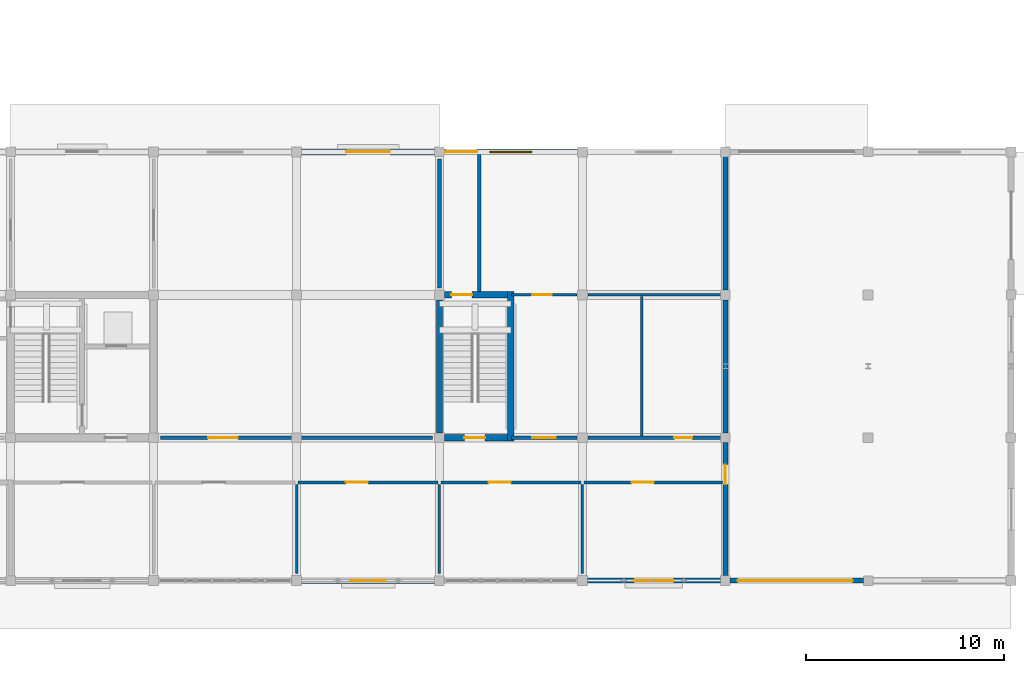
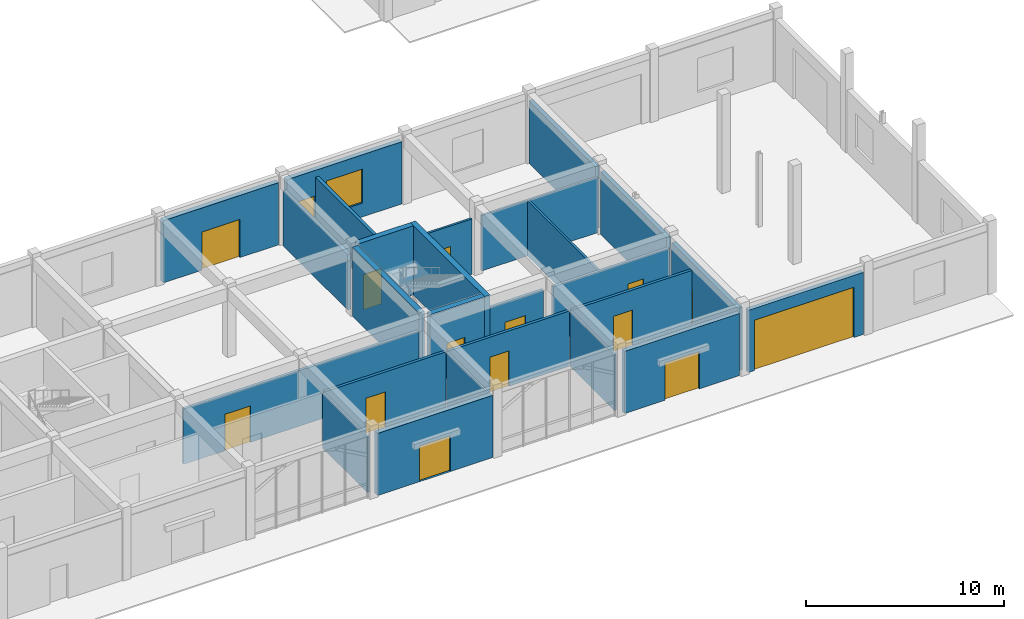
# One storey, part 101 of 138: 26 walls, 15 doors, 1 window, 16 openings.
"""IFC4 building model written with IfcOpenShell, lengths in metres."""

from ifc_helpers import new_model, si_unit, direction, frame, frame_2d, origin, place, context, subcontext, project, spatial, rectangle, extrude, material, layer, layer_set, type_object, element, fill, save


model = new_model("IFC4")

# Units and contexts
model_context = context("Model", 3, precision=1e-05, world=origin(), true_north=direction((0.0, 1.0)))
body_context = subcontext(model_context, "Body", "Model", "MODEL_VIEW")
ifc_project = project(units=[si_unit("LENGTHUNIT", "METRE"), si_unit("AREAUNIT", "SQUARE_METRE"), si_unit("VOLUMEUNIT", "CUBIC_METRE"), si_unit("PLANEANGLEUNIT", "RADIAN"), si_unit("MASSUNIT", "GRAM", prefix="KILO"), si_unit("THERMODYNAMICTEMPERATUREUNIT", "KELVIN"), si_unit("POWERUNIT", "WATT")], contexts=[model_context])

# Site, building, storey
site_placement = place(None, origin())
site = spatial("IfcSite", under=ifc_project, at=site_placement, CompositionType="ELEMENT")
building_placement = place(site_placement, origin())
building = spatial("IfcBuilding", under=site, at=building_placement, Name="Tavuni Mirador Residences", CompositionType="ELEMENT")
storey_placement = place(building_placement, origin())
storey = spatial("IfcBuildingStorey", under=building, at=storey_placement, Name="L00", CompositionType="ELEMENT", Elevation=0.0)

# Wall, opening, door
ifc_material_1 = material(Name="Precast concrete C40/50", Category="concrete")
ifc_layer_1 = layer(ifc_material_1, 0.25, Name="Precast concrete C40/50", Category="concrete")
ifc_layer_set_1 = layer_set([ifc_layer_1], Name="Precast concrete C40/50")
wall_type_1 = type_object("IfcWallType", Name="WT-COR250", PredefinedType="SHEAR", material=ifc_layer_set_1)
wall_1_placement = place(storey_placement, frame((90.0, 7.449951171875, 0.0), z_axis=(0.0, 0.0, 1.0), x_axis=(0.0, 1.0, 0.0)))
wall_1 = element("IfcWall", 1, at=wall_1_placement, inside=storey, type_object=wall_type_1, Name="PW-SHOP-CP-SEP1", PredefinedType="SHEAR", context=body_context, shape_type="SweptSolid", body=[
    extrude(rectangle(XDim=6.699951171875, YDim=0.25, at=frame_2d((3.35009765625, 0.0))), origin(), (0.0, 0.0, 1.0), 3.85009765625),
])
opening_1_placement = place(wall_1_placement, frame((4.60009765625, 0.0, 0.0)))
opening_1 = element("IfcOpeningElement", 2, at=opening_1_placement, cuts=wall_1, Name="Opening D-03", PredefinedType="OPENING", context=body_context, shape_type="SweptSolid", body=[
    extrude(rectangle(XDim=1.0, YDim=2.14990234375, at=frame_2d((0.5, 1.074951171875))), frame((0.0, 0.135009765625, 0.0), z_axis=(0.0, -1.0, 0.0), x_axis=(1.0, 0.0, 0.0)), (0.0, 0.0, 1.0), 0.27001953125),
])
ifc_material_2 = material(Name="Solid core iroko timber", Category="wood")
door_type_1 = type_object("IfcDoorType", Name="DT-FD60-1000", OperationType="NOTDEFINED", PredefinedType="DOOR", material=ifc_material_2)
door_1_placement = place(opening_1_placement, origin())
door_1 = element("IfcDoor", 3, at=door_1_placement, inside=storey, type_object=door_type_1, Name="DR-4824", OperationType="SINGLE_SWING_LEFT", OverallHeight=2.14990234375, OverallWidth=1.0, PredefinedType="DOOR", context=body_context, shape_type="SweptSolid", body=[
    extrude(rectangle(XDim=1.0, YDim=2.14990234375, at=frame_2d((0.5, 1.074951171875))), frame((0.0, 0.02490234375, 0.0), z_axis=(0.0, -1.0, 0.0), x_axis=(1.0, 0.0, 0.0)), (0.0, 0.0, 1.0), 0.050048828125),
])
fill(opening_1, door_1)

# Walls
wall_2_placement = place(storey_placement, frame((90.0, 14.64990234375, 0.0), z_axis=(0.0, 0.0, 1.0), x_axis=(0.0, 1.0, 0.0)))
element("IfcWall", 4, at=wall_2_placement, inside=storey, type_object=wall_type_1, Name="PW-SHOP-CP-SEP2", PredefinedType="SHEAR", context=body_context, shape_type="SweptSolid", body=[
    extrude(rectangle(XDim=6.7001953125, YDim=0.25, at=frame_2d((3.35009765625, 0.0))), origin(), (0.0, 0.0, 1.0), 3.85009765625),
])
wall_3_placement = place(storey_placement, frame((90.0, 21.85009765625, 0.0), z_axis=(0.0, 0.0, 1.0), x_axis=(0.0, 1.0, 0.0)))
element("IfcWall", 5, at=wall_3_placement, inside=storey, type_object=wall_type_1, Name="PW-SHOP-CP-SEP3", PredefinedType="SHEAR", context=body_context, shape_type="SweptSolid", body=[
    extrude(rectangle(XDim=6.7099609375, YDim=0.25, at=frame_2d((3.35498046875, 0.0))), origin(), (0.0, 0.0, 1.0), 3.85009765625),
])
ifc_layer_2 = layer(ifc_material_1, 0.320068359375, Name="Precast concrete C40/50", Category="concrete")
ifc_layer_set_2 = layer_set([ifc_layer_2], Name="Precast concrete C40/50")
wall_type_2 = type_object("IfcWallType", Name="WT-COR320", PredefinedType="SHEAR", material=ifc_layer_set_2)
wall_4_placement = place(storey_placement, frame((75.60009765625, 14.64990234375, 0.0), z_axis=(0.0, 0.0, 1.0), x_axis=(0.0, 1.0, 0.0)))
element("IfcWall", 6, at=wall_4_placement, inside=storey, type_object=wall_type_2, Name="CWALL-CS2-L00-W", PredefinedType="SHEAR", context=body_context, shape_type="SweptSolid", body=[
    extrude(rectangle(XDim=6.7001953125, YDim=0.320068359375, at=frame_2d((3.35009765625, 0.0))), origin(), (0.0, 0.0, 1.0), 4.260009765625),
])
wall_5_placement = place(storey_placement, frame((79.199951171875, 14.239990234375, 0.0), z_axis=(0.0, 0.0, 1.0), x_axis=(0.0, 1.0, 0.0)))
element("IfcWall", 7, at=wall_5_placement, inside=storey, type_object=wall_type_2, Name="CWALL-CS2-L00-E", PredefinedType="SHEAR", context=body_context, shape_type="SweptSolid", body=[
    extrude(rectangle(XDim=7.52001953125, YDim=0.320068359375, at=frame_2d((3.760009765625, 0.0))), origin(), (0.0, 0.0, 1.0), 4.260009765625),
])

# Wall, opening, door
wall_6_placement = place(storey_placement, frame((75.85009765625, 21.60009765625, 0.0), z_axis=(0.0, 0.0, 1.0), x_axis=(1.0, 0.0, 0.0)))
wall_6 = element("IfcWall", 8, at=wall_6_placement, inside=storey, type_object=wall_type_2, Name="CWALL-CS2-L00-N", PredefinedType="SHEAR", context=body_context, shape_type="SweptSolid", body=[
    extrude(rectangle(XDim=3.18994140625, YDim=0.320068359375, at=frame_2d((1.594970703125, 0.0))), origin(), (0.0, 0.0, 1.0), 4.260009765625),
])
opening_2_placement = place(wall_6_placement, frame((0.35009765625, 0.0, 0.0)))
opening_2 = element("IfcOpeningElement", 9, at=opening_2_placement, cuts=wall_6, Name="Opening D-01", PredefinedType="OPENING", context=body_context, shape_type="SweptSolid", body=[
    extrude(rectangle(XDim=1.050048828125, YDim=2.14990234375, at=frame_2d((0.52490234375, 1.074951171875))), frame((0.0, 0.169921875, 0.0), z_axis=(0.0, -1.0, 0.0), x_axis=(1.0, 0.0, 0.0)), (0.0, 0.0, 1.0), 0.340087890625),
])
door_type_2 = type_object("IfcDoorType", Name="DT-ST1050", OperationType="NOTDEFINED", PredefinedType="DOOR", material=ifc_material_2)
door_2_placement = place(opening_2_placement, origin())
door_2 = element("IfcDoor", 10, at=door_2_placement, inside=storey, type_object=door_type_2, Name="DR-4839", OperationType="SINGLE_SWING_LEFT", OverallHeight=2.14990234375, OverallWidth=1.050048828125, PredefinedType="DOOR", context=body_context, shape_type="SweptSolid", body=[
    extrude(rectangle(XDim=1.050048828125, YDim=2.14990234375, at=frame_2d((0.52490234375, 1.074951171875))), frame((0.0, 0.02490234375, 0.0), z_axis=(0.0, -1.0, 0.0), x_axis=(1.0, 0.0, 0.0)), (0.0, 0.0, 1.0), 0.050048828125),
])
fill(opening_2, door_2)

wall_7_placement = place(storey_placement, frame((75.85009765625, 14.39990234375, 0.0), z_axis=(0.0, 0.0, 1.0), x_axis=(1.0, 0.0, 0.0)))
wall_7 = element("IfcWall", 11, at=wall_7_placement, inside=storey, type_object=wall_type_2, Name="CWALL-CS2-L00-SS", PredefinedType="SHEAR", context=body_context, shape_type="SweptSolid", body=[
    extrude(rectangle(XDim=3.18994140625, YDim=0.320068359375, at=frame_2d((1.594970703125, 0.0))), origin(), (0.0, 0.0, 1.0), 4.260009765625),
])
opening_3_placement = place(wall_7_placement, frame((1.0, 0.0, 0.0)))
opening_3 = element("IfcOpeningElement", 12, at=opening_3_placement, cuts=wall_7, Name="Opening D-01", PredefinedType="OPENING", context=body_context, shape_type="SweptSolid", body=[
    extrude(rectangle(XDim=1.050048828125, YDim=2.14990234375, at=frame_2d((0.52490234375, 1.074951171875))), frame((0.0, 0.169921875, 0.0), z_axis=(0.0, -1.0, 0.0), x_axis=(1.0, 0.0, 0.0)), (0.0, 0.0, 1.0), 0.340087890625),
])
door_3_placement = place(opening_3_placement, frame((1.050048828125, 0.0, 0.0), z_axis=(0.0, 0.0, 1.0), x_axis=(-1.0, 0.0, 0.0)))
door_3 = element("IfcDoor", 13, at=door_3_placement, inside=storey, type_object=door_type_2, Name="DR-2363", OperationType="SINGLE_SWING_RIGHT", OverallHeight=2.14990234375, OverallWidth=1.050048828125, PredefinedType="DOOR", context=body_context, shape_type="SweptSolid", body=[
    extrude(rectangle(XDim=1.050048828125, YDim=2.14990234375, at=frame_2d((0.52490234375, 1.074951171875))), frame((0.0, 0.02490234375, 0.0), z_axis=(0.0, -1.0, 0.0), x_axis=(1.0, 0.0, 0.0)), (0.0, 0.0, 1.0), 0.050048828125),
])
fill(opening_3, door_3)

ifc_layer_3 = layer(ifc_material_1, 0.1650390625, Name="Precast concrete C40/50", Category="concrete")
ifc_layer_set_3 = layer_set([ifc_layer_3], Name="Precast concrete C40/50")
wall_type_3 = type_object("IfcWallType", Name="WT-CORR165", PredefinedType="PARTITIONING", material=ifc_layer_set_3)
wall_8_placement = place(storey_placement, frame((68.47998046875, 12.14990234375, 0.0), z_axis=(0.0, 0.0, 1.0), x_axis=(1.0, 0.0, 0.0)))
wall_8 = element("IfcWall", 14, at=wall_8_placement, inside=storey, type_object=wall_type_3, Name="PW-SHOP-L00-CS3", PredefinedType="PARTITIONING", context=body_context, shape_type="SweptSolid", body=[
    extrude(rectangle(XDim=7.0400390625, YDim=0.1650390625, at=frame_2d((3.52001953125, 0.0))), origin(), (0.0, 0.0, 1.0), 3.409912109375),
])
opening_4_placement = place(wall_8_placement, frame((2.39990234375, 0.0, 0.0)))
opening_4 = element("IfcOpeningElement", 15, at=opening_4_placement, cuts=wall_8, Name="Opening D-17", PredefinedType="OPENING", context=body_context, shape_type="SweptSolid", body=[
    extrude(rectangle(XDim=1.1201171875, YDim=2.179931640625, at=frame_2d((0.56005859375, 1.08984375))), frame((0.0, 0.092529296875, 0.0), z_axis=(0.0, -1.0, 0.0), x_axis=(1.0, 0.0, 0.0)), (0.0, 0.0, 1.0), 0.18505859375),
])
ifc_material_3 = material(Name="Anodised aluminium", Category="aluminium")
door_type_3 = type_object("IfcDoorType", Name="DT-SHP1120", OperationType="NOTDEFINED", PredefinedType="DOOR", material=ifc_material_3)
door_4_placement = place(opening_4_placement, origin())
door_4 = element("IfcDoor", 16, at=door_4_placement, inside=storey, type_object=door_type_3, Name="DR-4814", OperationType="SINGLE_SWING_LEFT", OverallHeight=2.179931640625, OverallWidth=1.1201171875, PredefinedType="DOOR", context=body_context, shape_type="SweptSolid", body=[
    extrude(rectangle(XDim=1.1201171875, YDim=2.179931640625, at=frame_2d((0.56005859375, 1.08984375))), frame((0.0, 0.02490234375, 0.0), z_axis=(0.0, -1.0, 0.0), x_axis=(1.0, 0.0, 0.0)), (0.0, 0.0, 1.0), 0.050048828125),
])
fill(opening_4, door_4)

wall_9_placement = place(storey_placement, frame((75.679931640625, 12.14990234375, 0.0), z_axis=(0.0, 0.0, 1.0), x_axis=(1.0, 0.0, 0.0)))
wall_9 = element("IfcWall", 17, at=wall_9_placement, inside=storey, type_object=wall_type_3, Name="PW-SHOP-L00-CS4", PredefinedType="PARTITIONING", context=body_context, shape_type="SweptSolid", body=[
    extrude(rectangle(XDim=7.0400390625, YDim=0.1650390625, at=frame_2d((3.52001953125, 0.0))), origin(), (0.0, 0.0, 1.0), 3.409912109375),
])
opening_5_placement = place(wall_9_placement, frame((2.39990234375, 0.0, 0.0)))
opening_5 = element("IfcOpeningElement", 18, at=opening_5_placement, cuts=wall_9, Name="Opening D-17", PredefinedType="OPENING", context=body_context, shape_type="SweptSolid", body=[
    extrude(rectangle(XDim=1.1201171875, YDim=2.179931640625, at=frame_2d((0.56005859375, 1.08984375))), frame((0.0, 0.092529296875, 0.0), z_axis=(0.0, -1.0, 0.0), x_axis=(1.0, 0.0, 0.0)), (0.0, 0.0, 1.0), 0.18505859375),
])
door_5_placement = place(opening_5_placement, origin())
door_5 = element("IfcDoor", 19, at=door_5_placement, inside=storey, type_object=door_type_3, Name="DR-4815", OperationType="SINGLE_SWING_RIGHT", OverallHeight=2.179931640625, OverallWidth=1.1201171875, PredefinedType="DOOR", context=body_context, shape_type="SweptSolid", body=[
    extrude(rectangle(XDim=1.1201171875, YDim=2.179931640625, at=frame_2d((0.56005859375, 1.08984375))), frame((0.0, 0.02490234375, 0.0), z_axis=(0.0, -1.0, 0.0), x_axis=(1.0, 0.0, 0.0)), (0.0, 0.0, 1.0), 0.050048828125),
])
fill(opening_5, door_5)

wall_10_placement = place(storey_placement, frame((82.8798828125, 12.14990234375, 0.0), z_axis=(0.0, 0.0, 1.0), x_axis=(1.0, 0.0, 0.0)))
wall_10 = element("IfcWall", 20, at=wall_10_placement, inside=storey, type_object=wall_type_3, Name="PW-SHOP-L00-CS5", PredefinedType="PARTITIONING", context=body_context, shape_type="SweptSolid", body=[
    extrude(rectangle(XDim=6.97021484375, YDim=0.1650390625, at=frame_2d((3.485107421875, 0.0))), origin(), (0.0, 0.0, 1.0), 3.409912109375),
])
opening_6_placement = place(wall_10_placement, frame((2.39990234375, 0.0, 0.0)))
opening_6 = element("IfcOpeningElement", 21, at=opening_6_placement, cuts=wall_10, Name="Opening D-17", PredefinedType="OPENING", context=body_context, shape_type="SweptSolid", body=[
    extrude(rectangle(XDim=1.1201171875, YDim=2.179931640625, at=frame_2d((0.56005859375, 1.08984375))), frame((0.0, 0.092529296875, 0.0), z_axis=(0.0, -1.0, 0.0), x_axis=(1.0, 0.0, 0.0)), (0.0, 0.0, 1.0), 0.18505859375),
])
door_6_placement = place(opening_6_placement, origin())
door_6 = element("IfcDoor", 22, at=door_6_placement, inside=storey, type_object=door_type_3, Name="DR-4816", OperationType="SINGLE_SWING_LEFT", OverallHeight=2.179931640625, OverallWidth=1.1201171875, PredefinedType="DOOR", context=body_context, shape_type="SweptSolid", body=[
    extrude(rectangle(XDim=1.1201171875, YDim=2.179931640625, at=frame_2d((0.56005859375, 1.08984375))), frame((0.0, 0.02490234375, 0.0), z_axis=(0.0, -1.0, 0.0), x_axis=(1.0, 0.0, 0.0)), (0.0, 0.0, 1.0), 0.050048828125),
])
fill(opening_6, door_6)

wall_11_placement = place(storey_placement, frame((61.550048828125, 14.39990234375, 0.0), z_axis=(0.0, 0.0, 1.0), x_axis=(1.0, 0.0, 0.0)))
wall_11 = element("IfcWall", 23, at=wall_11_placement, inside=storey, type_object=wall_type_3, Name="PW-SHOP-L00-CN2", PredefinedType="PARTITIONING", context=body_context, shape_type="SweptSolid", body=[
    extrude(rectangle(XDim=13.699951171875, YDim=0.1650390625, at=frame_2d((6.85009765625, 0.0))), origin(), (0.0, 0.0, 1.0), 3.409912109375),
])
opening_7_placement = place(wall_11_placement, frame((2.39990234375, 0.0, 0.0)))
opening_7 = element("IfcOpeningElement", 24, at=opening_7_placement, cuts=wall_11, Name="Opening D-12", PredefinedType="OPENING", context=body_context, shape_type="SweptSolid", body=[
    extrude(rectangle(XDim=1.5, YDim=2.25, at=frame_2d((0.75, 1.125))), frame((0.0, 0.092529296875, 0.0), z_axis=(0.0, -1.0, 0.0), x_axis=(1.0, 0.0, 0.0)), (0.0, 0.0, 1.0), 0.18505859375),
])
door_type_4 = type_object("IfcDoorType", Name="DT-HAL1500", OperationType="DOUBLE_DOOR_SINGLE_SWING", PredefinedType="DOOR", material=ifc_material_2)
door_7_placement = place(opening_7_placement, origin())
door_7 = element("IfcDoor", 25, at=door_7_placement, inside=storey, type_object=door_type_4, Name="DR-4818", OperationType="DOUBLE_DOOR_SINGLE_SWING", OverallHeight=2.25, OverallWidth=1.5, PredefinedType="DOOR", context=body_context, shape_type="SweptSolid", body=[
    extrude(rectangle(XDim=1.5, YDim=2.25, at=frame_2d((0.75, 1.125))), frame((0.0, 0.02490234375, 0.0), z_axis=(0.0, -1.0, 0.0), x_axis=(1.0, 0.0, 0.0)), (0.0, 0.0, 1.0), 0.050048828125),
])
fill(opening_7, door_7)

wall_12_placement = place(storey_placement, frame((79.219970703125, 14.39990234375, 0.0), z_axis=(0.0, 0.0, 1.0), x_axis=(1.0, 0.0, 0.0)))
wall_12 = element("IfcWall", 26, at=wall_12_placement, inside=storey, type_object=wall_type_3, Name="PW-SHOP-L00-CN3", PredefinedType="PARTITIONING", context=body_context, shape_type="SweptSolid", body=[
    extrude(rectangle(XDim=3.300048828125, YDim=0.1650390625, at=frame_2d((1.64990234375, 0.0))), origin(), (0.0, 0.0, 1.0), 3.409912109375),
])
opening_8_placement = place(wall_12_placement, frame((1.050048828125, 0.0, 0.0)))
opening_8 = element("IfcOpeningElement", 27, at=opening_8_placement, cuts=wall_12, Name="Opening D-18", PredefinedType="OPENING", context=body_context, shape_type="SweptSolid", body=[
    extrude(rectangle(XDim=1.199951171875, YDim=2.199951171875, at=frame_2d((0.60009765625, 1.10009765625))), frame((0.0, 0.092529296875, 0.0), z_axis=(0.0, -1.0, 0.0), x_axis=(1.0, 0.0, 0.0)), (0.0, 0.0, 1.0), 0.18505859375),
])
ifc_material_4 = material(Name="Structural steel S355", Category="steel")
door_type_5 = type_object("IfcDoorType", Name="DT-PLT1200", OperationType="NOTDEFINED", PredefinedType="DOOR", material=ifc_material_4)
door_8_placement = place(opening_8_placement, origin())
door_8 = element("IfcDoor", 28, at=door_8_placement, inside=storey, type_object=door_type_5, Name="DR-4819", OperationType="SINGLE_SWING_RIGHT", OverallHeight=2.199951171875, OverallWidth=1.199951171875, PredefinedType="DOOR", context=body_context, shape_type="SweptSolid", body=[
    extrude(rectangle(XDim=1.199951171875, YDim=2.199951171875, at=frame_2d((0.60009765625, 1.10009765625))), frame((0.0, 0.02490234375, 0.0), z_axis=(0.0, -1.0, 0.0), x_axis=(1.0, 0.0, 0.0)), (0.0, 0.0, 1.0), 0.050048828125),
])
fill(opening_8, door_8)

wall_13_placement = place(storey_placement, frame((83.080078125, 14.39990234375, 0.0), z_axis=(0.0, 0.0, 1.0), x_axis=(1.0, 0.0, 0.0)))
wall_13 = element("IfcWall", 29, at=wall_13_placement, inside=storey, type_object=wall_type_3, Name="PW-SHOP-L00-CN4", PredefinedType="PARTITIONING", context=body_context, shape_type="SweptSolid", body=[
    extrude(rectangle(XDim=6.77001953125, YDim=0.1650390625, at=frame_2d((3.385009765625, 0.0))), origin(), (0.0, 0.0, 1.0), 3.409912109375),
])
opening_9_placement = place(wall_13_placement, frame((4.35009765625, 0.0, 0.0)))
opening_9 = element("IfcOpeningElement", 30, at=opening_9_placement, cuts=wall_13, Name="Opening D-09", PredefinedType="OPENING", context=body_context, shape_type="SweptSolid", body=[
    extrude(rectangle(XDim=0.89990234375, YDim=2.050048828125, at=frame_2d((0.449951171875, 1.02490234375))), frame((0.0, 0.092529296875, 0.0), z_axis=(0.0, -1.0, 0.0), x_axis=(1.0, 0.0, 0.0)), (0.0, 0.0, 1.0), 0.18505859375),
])
door_type_6 = type_object("IfcDoorType", Name="DT-WC900", OperationType="NOTDEFINED", PredefinedType="DOOR", material=ifc_material_2)
door_9_placement = place(opening_9_placement, origin())
door_9 = element("IfcDoor", 31, at=door_9_placement, inside=storey, type_object=door_type_6, Name="DR-4820", OperationType="SINGLE_SWING_LEFT", OverallHeight=2.050048828125, OverallWidth=0.89990234375, PredefinedType="DOOR", context=body_context, shape_type="SweptSolid", body=[
    extrude(rectangle(XDim=0.89990234375, YDim=2.050048828125, at=frame_2d((0.449951171875, 1.02490234375))), frame((0.0, 0.02490234375, 0.0), z_axis=(0.0, -1.0, 0.0), x_axis=(1.0, 0.0, 0.0)), (0.0, 0.0, 1.0), 0.050048828125),
])
fill(opening_9, door_9)

# Walls
ifc_layer_4 = layer(ifc_material_1, 0.18505859375, Name="Precast concrete C40/50", Category="concrete")
ifc_layer_set_4 = layer_set([ifc_layer_4], Name="Precast concrete C40/50")
wall_type_4 = type_object("IfcWallType", Name="WT-CORR185", PredefinedType="PARTITIONING", material=ifc_layer_set_4)
wall_14_placement = place(storey_placement, frame((75.60009765625, 21.949951171875, 0.0), z_axis=(0.0, 0.0, 1.0), x_axis=(0.0, 1.0, 0.0)))
element("IfcWall", 32, at=wall_14_placement, inside=storey, type_object=wall_type_4, Name="PW-SHOP-L00-MKTE", PredefinedType="PARTITIONING", context=body_context, shape_type="SweptSolid", body=[
    extrude(rectangle(XDim=6.5, YDim=0.18505859375, at=frame_2d((3.25, 0.0))), origin(), (0.0, 0.0, 1.0), 3.409912109375),
])
wall_15_placement = place(storey_placement, frame((77.60009765625, 21.760009765625, 0.0), z_axis=(0.0, 0.0, 1.0), x_axis=(0.0, 1.0, 0.0)))
element("IfcWall", 33, at=wall_15_placement, inside=storey, type_object=wall_type_4, Name="XPW-ST10-E", PredefinedType="PARTITIONING", context=body_context, shape_type="SweptSolid", body=[
    extrude(rectangle(XDim=6.89990234375, YDim=0.18505859375, at=frame_2d((3.449951171875, 0.0))), origin(), (0.0, 0.0, 1.0), 3.409912109375),
])

# Wall, opening, door
ifc_material_5 = material(Name="Sgraffito lime-rendered precast concrete C40/50", Category="concrete")
ifc_layer_5 = layer(ifc_material_5, 0.2451171875, Name="Sgraffito lime-rendered precast concrete C40/50", Category="concrete")
ifc_layer_set_5 = layer_set([ifc_layer_5], Name="Sgraffito lime-rendered precast concrete C40/50")
wall_type_5 = type_object("IfcWallType", Name="WT-EXT-PC245", PredefinedType="SOLIDWALL", material=ifc_layer_set_5)
wall_16_placement = place(storey_placement, frame((90.25, 7.199951171875, 0.0), z_axis=(0.0, 0.0, 1.0), x_axis=(1.0, 0.0, 0.0)))
wall_16 = element("IfcWall", 34, at=wall_16_placement, inside=storey, type_object=wall_type_5, Name="EW-PAV-SHOP-L00-S06", PredefinedType="SOLIDWALL", context=body_context, shape_type="SweptSolid", body=[
    extrude(rectangle(XDim=6.7099609375, YDim=0.2451171875, at=frame_2d((3.35498046875, 0.0))), origin(), (0.0, 0.0, 1.0), 3.830078125),
])
opening_10_placement = place(wall_16_placement, frame((0.3701171875, 0.0, 0.0)))
opening_10 = element("IfcOpeningElement", 35, at=opening_10_placement, cuts=wall_16, Name="Opening VG-01", PredefinedType="OPENING", context=body_context, shape_type="SweptSolid", body=[
    extrude(rectangle(XDim=5.800048828125, YDim=3.10009765625, at=frame_2d((2.89990234375, 1.550048828125))), frame((0.0, 0.132568359375, 0.0), z_axis=(0.0, -1.0, 0.0), x_axis=(1.0, 0.0, 0.0)), (0.0, 0.0, 1.0), 0.26513671875),
])
door_type_7 = type_object("IfcDoorType", Name="DT-VG5800", OperationType="SLIDING_TO_LEFT", PredefinedType="GATE", material=ifc_material_4)
door_10_placement = place(opening_10_placement, frame((5.800048828125, 0.0, 0.0), z_axis=(0.0, 0.0, 1.0), x_axis=(-1.0, 0.0, 0.0)))
door_10 = element("IfcDoor", 36, at=door_10_placement, inside=storey, type_object=door_type_7, Name="Car park entrance gate VG-01", OperationType="SLIDING_TO_LEFT", OverallHeight=3.10009765625, OverallWidth=5.800048828125, PredefinedType="GATE", context=body_context, shape_type="SweptSolid", body=[
    extrude(rectangle(XDim=5.800048828125, YDim=3.10009765625, at=frame_2d((2.89990234375, 1.550048828125))), frame((0.0, 0.02490234375, 0.0), z_axis=(0.0, -1.0, 0.0), x_axis=(1.0, 0.0, 0.0)), (0.0, 0.0, 1.0), 0.050048828125),
])
fill(opening_10, door_10)

ifc_layer_6 = layer(ifc_material_5, 0.2548828125, Name="Sgraffito lime-rendered precast concrete C40/50", Category="concrete")
ifc_layer_set_6 = layer_set([ifc_layer_6], Name="Sgraffito lime-rendered precast concrete C40/50")
wall_type_6 = type_object("IfcWallType", Name="WT-EXT-PC255", PredefinedType="SOLIDWALL", material=ifc_layer_set_6)
wall_17_placement = place(storey_placement, frame((83.050048828125, 7.199951171875, 0.0), z_axis=(0.0, 0.0, 1.0), x_axis=(1.0, 0.0, 0.0)))
wall_17 = element("IfcWall", 37, at=wall_17_placement, inside=storey, type_object=wall_type_6, Name="EW-PAV-SHOP-L00-S05", PredefinedType="SOLIDWALL", context=body_context, shape_type="SweptSolid", body=[
    extrude(rectangle(XDim=6.699951171875, YDim=0.2548828125, at=frame_2d((3.35009765625, 0.0))), origin(), (0.0, 0.0, 1.0), 3.830078125),
])
opening_11_placement = place(wall_17_placement, frame((2.35009765625, 0.0, 0.0)))
opening_11 = element("IfcOpeningElement", 38, at=opening_11_placement, cuts=wall_17, Name="Opening EX-03", PredefinedType="OPENING", context=body_context, shape_type="SweptSolid", body=[
    extrude(rectangle(XDim=2.0, YDim=2.300048828125, at=frame_2d((1.0, 1.14990234375))), frame((0.0, 0.137451171875, 0.0), z_axis=(0.0, -1.0, 0.0), x_axis=(1.0, 0.0, 0.0)), (0.0, 0.0, 1.0), 0.27490234375),
])
door_type_8 = type_object("IfcDoorType", Name="DT-EX2000", OperationType="DOUBLE_DOOR_SINGLE_SWING", PredefinedType="DOOR", material=ifc_material_3)
door_11_placement = place(opening_11_placement, frame((2.0, 0.0, 0.0), z_axis=(0.0, 0.0, 1.0), x_axis=(-1.0, 0.0, 0.0)))
door_11 = element("IfcDoor", 39, at=door_11_placement, inside=storey, type_object=door_type_8, Name="Final exit door EX-032", OperationType="DOUBLE_DOOR_SINGLE_SWING", OverallHeight=2.300048828125, OverallWidth=2.0, PredefinedType="DOOR", context=body_context, shape_type="SweptSolid", body=[
    extrude(rectangle(XDim=2.0, YDim=2.300048828125, at=frame_2d((1.0, 1.14990234375))), frame((0.0, 0.02490234375, 0.0), z_axis=(0.0, -1.0, 0.0), x_axis=(1.0, 0.0, 0.0)), (0.0, 0.0, 1.0), 0.050048828125),
])
fill(opening_11, door_11)

# Wall, openings, door, window
ifc_layer_7 = layer(ifc_material_5, 0.27490234375, Name="Sgraffito lime-rendered precast concrete C40/50", Category="concrete")
ifc_layer_set_7 = layer_set([ifc_layer_7], Name="Sgraffito lime-rendered precast concrete C40/50")
wall_type_7 = type_object("IfcWallType", Name="WT-EXT-PC275", PredefinedType="SOLIDWALL", material=ifc_layer_set_7)
wall_18_placement = place(storey_placement, frame((82.550048828125, 28.800048828125, 0.0), z_axis=(0.0, 0.0, 1.0), x_axis=(-1.0, 0.0, 0.0)))
wall_18 = element("IfcWall", 40, at=wall_18_placement, inside=storey, type_object=wall_type_7, Name="EW-PAV-SHOP-L00-N04", PredefinedType="SOLIDWALL", context=body_context, shape_type="SweptSolid", body=[
    extrude(rectangle(XDim=6.7099609375, YDim=0.27490234375, at=frame_2d((3.35498046875, 0.0))), origin(), (0.0, 0.0, 1.0), 3.830078125),
])
opening_12_placement = place(wall_18_placement, frame((2.304931640625, 0.0, 0.85009765625)))
opening_12 = element("IfcOpeningElement", 41, at=opening_12_placement, cuts=wall_18, Name="Opening WN-32", PredefinedType="OPENING", context=body_context, shape_type="SweptSolid", body=[
    extrude(rectangle(XDim=2.10009765625, YDim=2.10009765625, at=frame_2d((1.050048828125, 1.050048828125))), frame((0.0, 0.1474609375, 0.0), z_axis=(0.0, -1.0, 0.0), x_axis=(1.0, 0.0, 0.0)), (0.0, 0.0, 1.0), 0.294921875),
])
opening_13_placement = place(wall_18_placement, frame((5.050048828125, 0.0, 0.0)))
opening_13 = element("IfcOpeningElement", 42, at=opening_13_placement, cuts=wall_18, Name="Opening EN-01", PredefinedType="OPENING", context=body_context, shape_type="SweptSolid", body=[
    extrude(rectangle(XDim=1.60009765625, YDim=2.25, at=frame_2d((0.800048828125, 1.125))), frame((0.0, 0.1474609375, 0.0), z_axis=(0.0, -1.0, 0.0), x_axis=(1.0, 0.0, 0.0)), (0.0, 0.0, 1.0), 0.294921875),
])
door_type_9 = type_object("IfcDoorType", Name="DT-ENT1600", OperationType="DOUBLE_DOOR_SINGLE_SWING", PredefinedType="DOOR", material=ifc_material_3)
door_12_placement = place(opening_13_placement, frame((1.60009765625, 0.0, 0.0), z_axis=(0.0, 0.0, 1.0), x_axis=(-1.0, 0.0, 0.0)))
door_12 = element("IfcDoor", 43, at=door_12_placement, inside=storey, type_object=door_type_9, Name="Final exit door EX-039", OperationType="DOUBLE_DOOR_SINGLE_SWING", OverallHeight=2.25, OverallWidth=1.60009765625, PredefinedType="DOOR", context=body_context, shape_type="SweptSolid", body=[
    extrude(rectangle(XDim=1.60009765625, YDim=2.25, at=frame_2d((0.800048828125, 1.125))), frame((0.0, 0.02490234375, 0.0), z_axis=(0.0, -1.0, 0.0), x_axis=(1.0, 0.0, 0.0)), (0.0, 0.0, 1.0), 0.050048828125),
])
fill(opening_13, door_12)
ifc_material_6 = material(Name="Laminated solar-control glass", Category="glass")
window_type = type_object("IfcWindowType", Name="WNT-32", PartitioningType="SINGLE_PANEL", PredefinedType="WINDOW", material=ifc_material_6)
window_placement = place(opening_12_placement, origin())
window = element("IfcWindow", 44, at=window_placement, inside=storey, type_object=window_type, Name="WIN-1883", OverallHeight=2.10009765625, OverallWidth=2.10009765625, PartitioningType="SINGLE_PANEL", PredefinedType="WINDOW", context=body_context, shape_type="SweptSolid", body=[
    extrude(rectangle(XDim=2.10009765625, YDim=2.10009765625, at=frame_2d((1.050048828125, 1.050048828125))), frame((0.0, 0.030029296875, 0.0), z_axis=(0.0, -1.0, 0.0), x_axis=(1.0, 0.0, 0.0)), (0.0, 0.0, 1.0), 0.06005859375),
])
fill(opening_12, window)

# Wall, opening, door
ifc_layer_8 = layer(ifc_material_5, 0.2900390625, Name="Sgraffito lime-rendered precast concrete C40/50", Category="concrete")
ifc_layer_set_8 = layer_set([ifc_layer_8], Name="Sgraffito lime-rendered precast concrete C40/50")
wall_type_8 = type_object("IfcWallType", Name="WT-EXT-PC290", PredefinedType="SOLIDWALL", material=ifc_layer_set_8)
wall_19_placement = place(storey_placement, frame((68.64990234375, 7.199951171875, 0.0), z_axis=(0.0, 0.0, 1.0), x_axis=(1.0, 0.0, 0.0)))
wall_19 = element("IfcWall", 45, at=wall_19_placement, inside=storey, type_object=wall_type_8, Name="EW-PAV-SHOP-L00-S03", PredefinedType="SOLIDWALL", context=body_context, shape_type="SweptSolid", body=[
    extrude(rectangle(XDim=6.710205078125, YDim=0.2900390625, at=frame_2d((3.35498046875, 0.0))), origin(), (0.0, 0.0, 1.0), 3.830078125),
])
opening_14_placement = place(wall_19_placement, frame((2.455078125, 0.0, 0.0)))
opening_14 = element("IfcOpeningElement", 46, at=opening_14_placement, cuts=wall_19, Name="Opening EX-02", PredefinedType="OPENING", context=body_context, shape_type="SweptSolid", body=[
    extrude(rectangle(XDim=1.800048828125, YDim=2.199951171875, at=frame_2d((0.89990234375, 1.10009765625))), frame((0.0, 0.155029296875, 0.0), z_axis=(0.0, -1.0, 0.0), x_axis=(1.0, 0.0, 0.0)), (0.0, 0.0, 1.0), 0.31005859375),
])
door_type_10 = type_object("IfcDoorType", Name="DT-EX1800", OperationType="DOUBLE_DOOR_SINGLE_SWING", PredefinedType="DOOR", material=ifc_material_2)
door_13_placement = place(opening_14_placement, frame((1.800048828125, 0.0, 0.0), z_axis=(0.0, 0.0, 1.0), x_axis=(-1.0, 0.0, 0.0)))
door_13 = element("IfcDoor", 47, at=door_13_placement, inside=storey, type_object=door_type_10, Name="Final exit door EX-031", OperationType="DOUBLE_DOOR_SINGLE_SWING", OverallHeight=2.199951171875, OverallWidth=1.800048828125, PredefinedType="DOOR", context=body_context, shape_type="SweptSolid", body=[
    extrude(rectangle(XDim=1.800048828125, YDim=2.199951171875, at=frame_2d((0.89990234375, 1.10009765625))), frame((0.0, 0.02490234375, 0.0), z_axis=(0.0, -1.0, 0.0), x_axis=(1.0, 0.0, 0.0)), (0.0, 0.0, 1.0), 0.050048828125),
])
fill(opening_14, door_13)

wall_20_placement = place(storey_placement, frame((75.360107421875, 28.800048828125, 0.0), z_axis=(0.0, 0.0, 1.0), x_axis=(-1.0, 0.0, 0.0)))
wall_20 = element("IfcWall", 48, at=wall_20_placement, inside=storey, type_object=wall_type_8, Name="EW-PAV-SHOP-L00-N03", PredefinedType="SOLIDWALL", context=body_context, shape_type="SweptSolid", body=[
    extrude(rectangle(XDim=6.710205078125, YDim=0.2900390625, at=frame_2d((3.35498046875, 0.0))), origin(), (0.0, 0.0, 1.0), 3.830078125),
])
opening_15_placement = place(wall_20_placement, frame((2.2548828125, 0.0, 0.0)))
opening_15 = element("IfcOpeningElement", 49, at=opening_15_placement, cuts=wall_20, Name="Opening EX-04", PredefinedType="OPENING", context=body_context, shape_type="SweptSolid", body=[
    extrude(rectangle(XDim=2.199951171875, YDim=2.35009765625, at=frame_2d((1.10009765625, 1.175048828125))), frame((0.0, 0.155029296875, 0.0), z_axis=(0.0, -1.0, 0.0), x_axis=(1.0, 0.0, 0.0)), (0.0, 0.0, 1.0), 0.31005859375),
])
door_type_11 = type_object("IfcDoorType", Name="DT-EX2200", OperationType="DOUBLE_DOOR_SINGLE_SWING", PredefinedType="DOOR", material=ifc_material_3)
door_14_placement = place(opening_15_placement, frame((2.199951171875, 0.0, 0.0), z_axis=(0.0, 0.0, 1.0), x_axis=(-1.0, 0.0, 0.0)))
door_14 = element("IfcDoor", 50, at=door_14_placement, inside=storey, type_object=door_type_11, Name="Final exit door EX-033", OperationType="DOUBLE_DOOR_SINGLE_SWING", OverallHeight=2.35009765625, OverallWidth=2.199951171875, PredefinedType="DOOR", context=body_context, shape_type="SweptSolid", body=[
    extrude(rectangle(XDim=2.199951171875, YDim=2.35009765625, at=frame_2d((1.10009765625, 1.175048828125))), frame((0.0, 0.02490234375, 0.0), z_axis=(0.0, -1.0, 0.0), x_axis=(1.0, 0.0, 0.0)), (0.0, 0.0, 1.0), 0.050048828125),
])
fill(opening_15, door_14)

# Walls
ifc_material_7 = material(Name="Acoustic gypsum and concrete block partition", Category="concrete")
ifc_layer_9 = layer(ifc_material_7, 0.125, Name="Acoustic gypsum and concrete block partition", Category="concrete")
ifc_layer_set_9 = layer_set([ifc_layer_9], Name="Acoustic gypsum and concrete block partition")
wall_type_9 = type_object("IfcWallType", Name="WT-PART125", PredefinedType="PARTITIONING", material=ifc_layer_set_9)
for number, where, z_axis, x_axis, name in (
    (51, (68.39990234375, 7.550048828125, 0.0), (0.0, 0.0, 1.0), (0.0, 1.0, 0.0), "PW-SHOP-L00-SV2"),
    (52, (75.60009765625, 7.550048828125, 0.0), (0.0, 0.0, 1.0), (0.0, 1.0, 0.0), "PW-SHOP-L00-SV3"),
    (53, (82.800048828125, 7.550048828125, 0.0), (0.0, 0.0, 1.0), (0.0, 1.0, 0.0), "PW-SHOP-L00-SV4"),
):
    element("IfcWall", number, at=place(storey_placement, frame(where, z_axis=z_axis, x_axis=x_axis)), inside=storey, type_object=wall_type_9, Name=name, PredefinedType="PARTITIONING", context=body_context, shape_type="SweptSolid", body=[
        extrude(rectangle(XDim=4.5, YDim=0.125, at=frame_2d((2.25, 0.0))), origin(), (0.0, 0.0, 1.0), 3.409912109375),
    ])
wall_21_placement = place(storey_placement, frame((85.800048828125, 14.47998046875, 0.0), z_axis=(0.0, 0.0, 1.0), x_axis=(0.0, 1.0, 0.0)))
element("IfcWall", 54, at=wall_21_placement, inside=storey, type_object=wall_type_9, Name="PW-SHOP-L00-WCV", PredefinedType="PARTITIONING", context=body_context, shape_type="SweptSolid", body=[
    extrude(rectangle(XDim=7.0400390625, YDim=0.125, at=frame_2d((3.52001953125, 0.0))), origin(), (0.0, 0.0, 1.0), 3.409912109375),
])

# Wall, opening, door
wall_22_placement = place(storey_placement, frame((79.219970703125, 21.60009765625, 0.0), z_axis=(0.0, 0.0, 1.0), x_axis=(1.0, 0.0, 0.0)))
wall_22 = element("IfcWall", 55, at=wall_22_placement, inside=storey, type_object=wall_type_9, Name="PW-SHOP-L00-WCN1", PredefinedType="PARTITIONING", context=body_context, shape_type="SweptSolid", body=[
    extrude(rectangle(XDim=3.300048828125, YDim=0.125, at=frame_2d((1.64990234375, 0.0))), origin(), (0.0, 0.0, 1.0), 3.409912109375),
])
opening_16_placement = place(wall_22_placement, frame((1.050048828125, 0.0, 0.0)))
opening_16 = element("IfcOpeningElement", 56, at=opening_16_placement, cuts=wall_22, Name="Opening D-21", PredefinedType="OPENING", context=body_context, shape_type="SweptSolid", body=[
    extrude(rectangle(XDim=1.0, YDim=2.139892578125, at=frame_2d((0.5, 1.06982421875))), frame((0.0, 0.072509765625, 0.0), z_axis=(0.0, -1.0, 0.0), x_axis=(1.0, 0.0, 0.0)), (0.0, 0.0, 1.0), 0.14501953125),
])
door_type_12 = type_object("IfcDoorType", Name="DT-ACC1000", OperationType="NOTDEFINED", PredefinedType="DOOR", material=ifc_material_2)
door_15_placement = place(opening_16_placement, origin())
door_15 = element("IfcDoor", 57, at=door_15_placement, inside=storey, type_object=door_type_12, Name="DR-4823", OperationType="SINGLE_SWING_RIGHT", OverallHeight=2.139892578125, OverallWidth=1.0, PredefinedType="DOOR", context=body_context, shape_type="SweptSolid", body=[
    extrude(rectangle(XDim=1.0, YDim=2.139892578125, at=frame_2d((0.5, 1.06982421875))), frame((0.0, 0.02490234375, 0.0), z_axis=(0.0, -1.0, 0.0), x_axis=(1.0, 0.0, 0.0)), (0.0, 0.0, 1.0), 0.050048828125),
])
fill(opening_16, door_15)

# Wall
wall_23_placement = place(storey_placement, frame((83.080078125, 21.60009765625, 0.0), z_axis=(0.0, 0.0, 1.0), x_axis=(1.0, 0.0, 0.0)))
element("IfcWall", 58, at=wall_23_placement, inside=storey, type_object=wall_type_9, Name="PW-SHOP-L00-WCN2", PredefinedType="PARTITIONING", context=body_context, shape_type="SweptSolid", body=[
    extrude(rectangle(XDim=6.77001953125, YDim=0.125, at=frame_2d((3.385009765625, 0.0))), origin(), (0.0, 0.0, 1.0), 3.409912109375),
])

save(model, "model.ifc")
